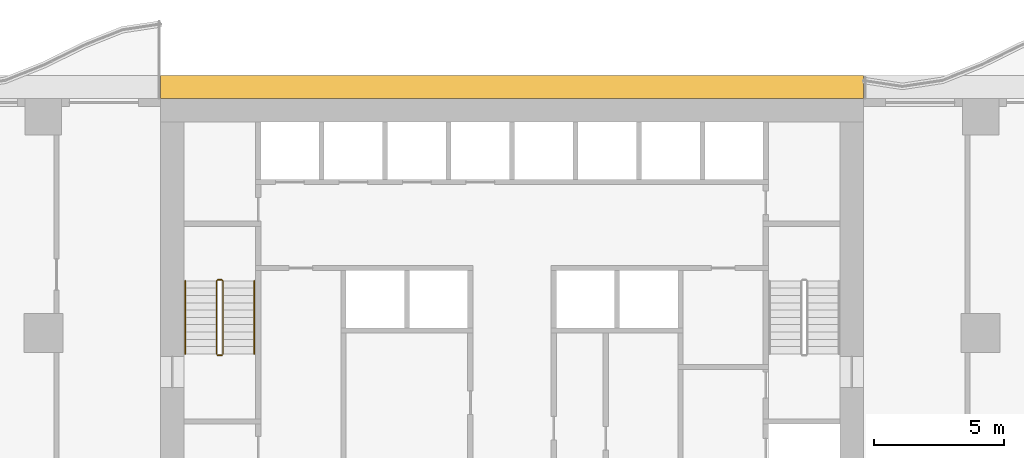
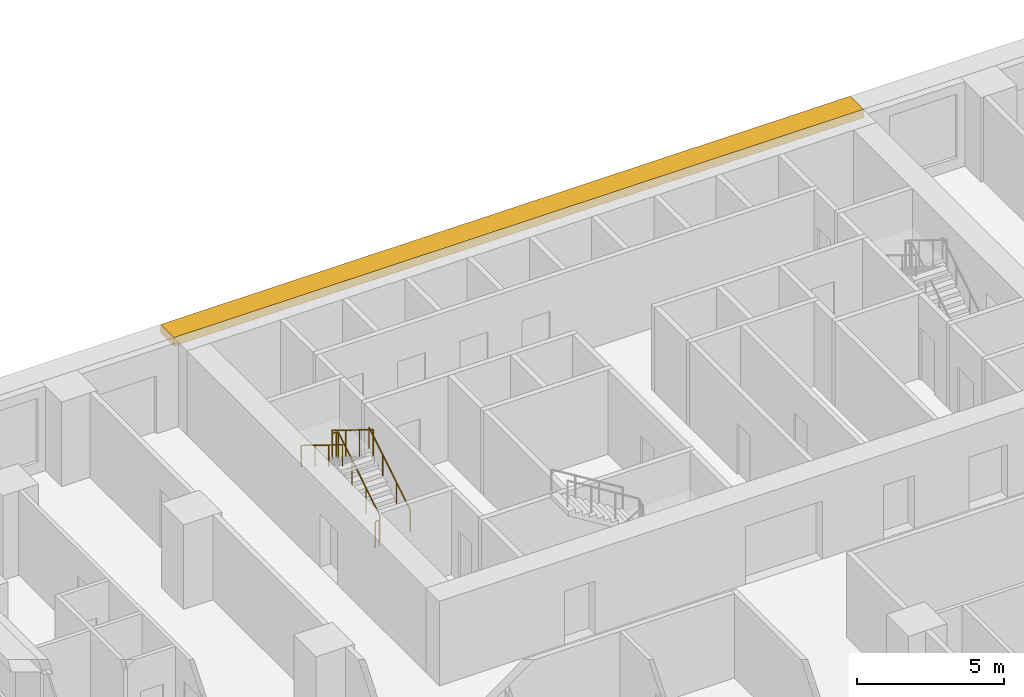
# One storey, part 11 of 13: 4 railings, 1 shading device.
"""IFC4 building model written with IfcOpenShell, lengths in metres."""

from ifc_helpers import new_model, si_unit, direction, frame, origin, origin_2d, place, context, subcontext, project, spatial, polyline, circle, outline, extrude, material, layer, layer_set, type_object, element, save


model = new_model("IFC4")

# Units and contexts
model_context = context("Model", 3, precision=1e-05, world=origin(), true_north=direction((0.0, 1.0)))
body_context = subcontext(model_context, "Body", "Model", "MODEL_VIEW")
ifc_project = project(units=[si_unit("LENGTHUNIT", "METRE"), si_unit("AREAUNIT", "SQUARE_METRE"), si_unit("VOLUMEUNIT", "CUBIC_METRE"), si_unit("PLANEANGLEUNIT", "RADIAN"), si_unit("MASSUNIT", "GRAM", prefix="KILO")], contexts=[model_context])

# Site, building, storey
site_placement = place(None, origin())
site = spatial("IfcSite", under=ifc_project, at=site_placement, CompositionType="ELEMENT")
building_placement = place(site_placement, origin())
building = spatial("IfcBuilding", under=site, at=building_placement, Name="Orbiselva Terraces", CompositionType="ELEMENT")
storey_placement = place(building_placement, frame((0.0, 0.0, 53.0)))
storey = spatial("IfcBuildingStorey", under=building, at=storey_placement, Name="L13", CompositionType="ELEMENT", Elevation=53.0)

# Railings
ifc_material_1 = material(Name="Stainless steel", Category="steel")
railing_type_1 = type_object("IfcRailingType", Name="CORE-GUARD-1100", PredefinedType="GUARDRAIL", material=ifc_material_1)
railing_1_placement = place(storey_placement, frame((-11.1, 12.7, 0.172727)))
element("IfcRailing", 1, at=railing_1_placement, inside=storey, type_object=railing_type_1, Name="L13 S1 stair guard 1", PredefinedType="GUARDRAIL", context=body_context, shape_type="SweptSolid", body=[
    extrude(circle(Radius=0.024, at=origin_2d()), frame((0.0, 0.0, 1.081), z_axis=(0.0, 0.851088519012, 0.52502222125), x_axis=(-1.0, 0.0, 0.0)), (0.0, 0.0, 1.0), 3.289905),
    extrude(circle(Radius=0.024, at=origin_2d()), frame((0.0, 2.8, 2.808273), z_axis=(-0.707106781187, 0.707106781187, 0.0), x_axis=(-0.707106781187, -0.707106781187, 0.0)), (0.0, 0.0, 1.0), 0.070711),
    extrude(circle(Radius=0.024, at=origin_2d()), frame((-0.05, 2.85, 2.808273), z_axis=(-1.0, 0.0, 0.0), x_axis=(0.0, -1.0, 0.0)), (0.0, 0.0, 1.0), 0.15),
    extrude(circle(Radius=0.024, at=origin_2d()), frame((-0.2, 2.85, 2.808273), z_axis=(-0.267894925557, -0.267894925557, 0.925453736133), x_axis=(0.707106781187, -0.707106781187, 0.0)), (0.0, 0.0, 1.0), 0.18664),
    extrude(circle(Radius=0.024, at=origin_2d()), frame((-0.25, 2.8, 2.981), z_axis=(0.0, -0.851088519012, 0.52502222125), x_axis=(1.0, 0.0, 0.0)), (0.0, 0.0, 1.0), 3.289905),
    extrude(circle(Radius=0.021, at=origin_2d()), origin(), (0.0, 0.0, 1.0), 1.057),
    extrude(circle(Radius=0.021, at=origin_2d()), frame((0.0, 0.933333, 0.575758)), (0.0, 0.0, 1.0), 1.057),
    extrude(circle(Radius=0.021, at=origin_2d()), frame((0.0, 1.866667, 1.151515)), (0.0, 0.0, 1.0), 1.057),
    extrude(circle(Radius=0.021, at=origin_2d()), frame((0.0, 2.8, 1.727273)), (0.0, 0.0, 1.0), 1.057),
    extrude(circle(Radius=0.021, at=origin_2d()), frame((-0.05, 2.85, 1.727273)), (0.0, 0.0, 1.0), 1.057),
    extrude(circle(Radius=0.021, at=origin_2d()), frame((-0.2, 2.85, 1.727273)), (0.0, 0.0, 1.0), 1.057),
    extrude(circle(Radius=0.021, at=origin_2d()), frame((-0.25, 2.8, 1.9)), (0.0, 0.0, 1.0), 1.057),
    extrude(circle(Radius=0.021, at=origin_2d()), frame((-0.25, 1.866667, 2.475758)), (0.0, 0.0, 1.0), 1.057),
    extrude(circle(Radius=0.021, at=origin_2d()), frame((-0.25, 0.933333, 3.051515)), (0.0, 0.0, 1.0), 1.057),
    extrude(circle(Radius=0.021, at=origin_2d()), frame((-0.25, 0.0, 3.627273)), (0.0, 0.0, 1.0), 1.057),
])
railing_2_placement = place(storey_placement, frame((-11.15, 12.65, 0.0)))
element("IfcRailing", 2, at=railing_2_placement, inside=storey, type_object=railing_type_1, Name="L13 S1 stair guard 2", PredefinedType="GUARDRAIL", context=body_context, shape_type="SweptSolid", body=[
    extrude(circle(Radius=0.024, at=origin_2d()), frame((0.0, 0.0, 1.081), z_axis=(-1.0, 0.0, 0.0), x_axis=(0.0, -1.0, 0.0)), (0.0, 0.0, 1.0), 0.15),
    extrude(circle(Radius=0.021, at=origin_2d()), origin(), (0.0, 0.0, 1.0), 1.057),
    extrude(circle(Radius=0.021, at=origin_2d()), frame((-0.15, 0.0, 0.0)), (0.0, 0.0, 1.0), 1.057),
])
railing_type_2 = type_object("IfcRailingType", Name="CORE-HANDRAIL-900", PredefinedType="HANDRAIL", material=ifc_material_1)
railing_3_placement = place(storey_placement, frame((-9.9, 12.7, 0.172727)))
element("IfcRailing", 3, at=railing_3_placement, inside=storey, type_object=railing_type_2, Name="L13 S1 stair handrail 1", PredefinedType="HANDRAIL", context=body_context, shape_type="SweptSolid", body=[
    extrude(circle(Radius=0.024, at=origin_2d()), frame((0.0, 0.0, 0.876), z_axis=(0.0, 0.851088519012, 0.52502222125), x_axis=(-1.0, 0.0, 0.0)), (0.0, 0.0, 1.0), 3.289905),
    extrude(circle(Radius=0.021, at=origin_2d()), origin(), (0.0, 0.0, 1.0), 0.852),
    extrude(circle(Radius=0.021, at=origin_2d()), frame((0.0, 0.933333, 0.575758)), (0.0, 0.0, 1.0), 0.852),
    extrude(circle(Radius=0.021, at=origin_2d()), frame((0.0, 1.866667, 1.151515)), (0.0, 0.0, 1.0), 0.852),
    extrude(circle(Radius=0.021, at=origin_2d()), frame((0.0, 2.8, 1.727273)), (0.0, 0.0, 1.0), 0.852),
])
railing_4_placement = place(storey_placement, frame((-12.55, 15.5, 2.072727)))
element("IfcRailing", 4, at=railing_4_placement, inside=storey, type_object=railing_type_2, Name="L13 S1 stair handrail 2", PredefinedType="HANDRAIL", context=body_context, shape_type="SweptSolid", body=[
    extrude(circle(Radius=0.024, at=origin_2d()), frame((0.0, 0.0, 0.876), z_axis=(0.0, -0.851088519012, 0.52502222125), x_axis=(1.0, 0.0, 0.0)), (0.0, 0.0, 1.0), 3.289905),
    extrude(circle(Radius=0.021, at=origin_2d()), origin(), (0.0, 0.0, 1.0), 0.852),
    extrude(circle(Radius=0.021, at=origin_2d()), frame((0.0, -0.933333, 0.575758)), (0.0, 0.0, 1.0), 0.852),
    extrude(circle(Radius=0.021, at=origin_2d()), frame((0.0, -1.866667, 1.151515)), (0.0, 0.0, 1.0), 0.852),
    extrude(circle(Radius=0.021, at=origin_2d()), frame((0.0, -2.8, 1.727273)), (0.0, 0.0, 1.0), 0.852),
])

# Shading device
ifc_material_2 = material(Name="Terracotta baguette sunshade", Category="masonry")
ifc_layer = layer(ifc_material_2, 0.35)
ifc_layer_set = layer_set([ifc_layer], Name="Terracotta baguette sunshade")
shading_device_type = type_object("IfcShadingDeviceType", Name="ENV-SUNSHADE-900x350", PredefinedType="USERDEFINED", material=ifc_layer_set)
shading_device_placement = place(storey_placement, frame((0.0, 0.0, 3.15)))
element("IfcShadingDevice", 5, at=shading_device_placement, inside=storey, type_object=shading_device_type, Name="Sunshade band L13 CORE NORTH", ObjectType="SUNSHADE", PredefinedType="USERDEFINED", context=body_context, shape_type="SweptSolid", body=[
    extrude(outline(polyline([(13.5, 23.4), (-13.5, 23.4), (-13.5, 22.5), (13.5, 22.5), (13.5, 23.4)])), origin(), (0.0, 0.0, 1.0), 0.35),
])

save(model, "model.ifc")
